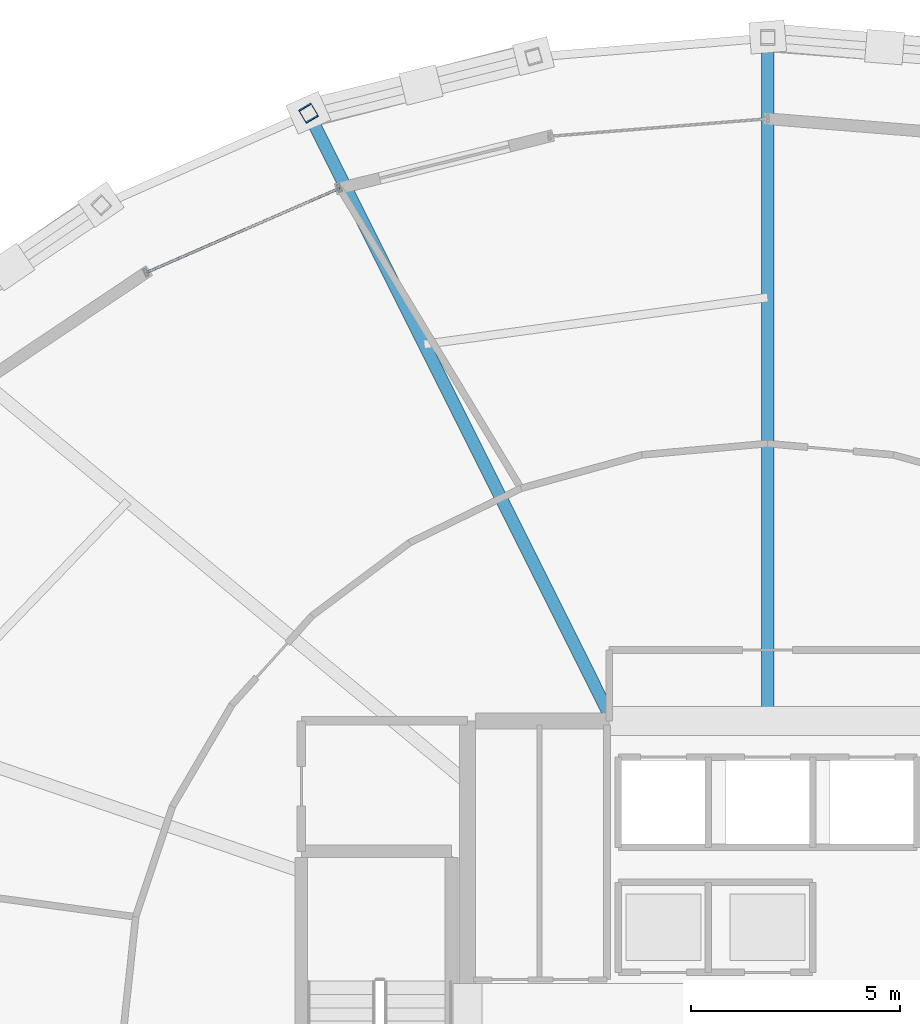
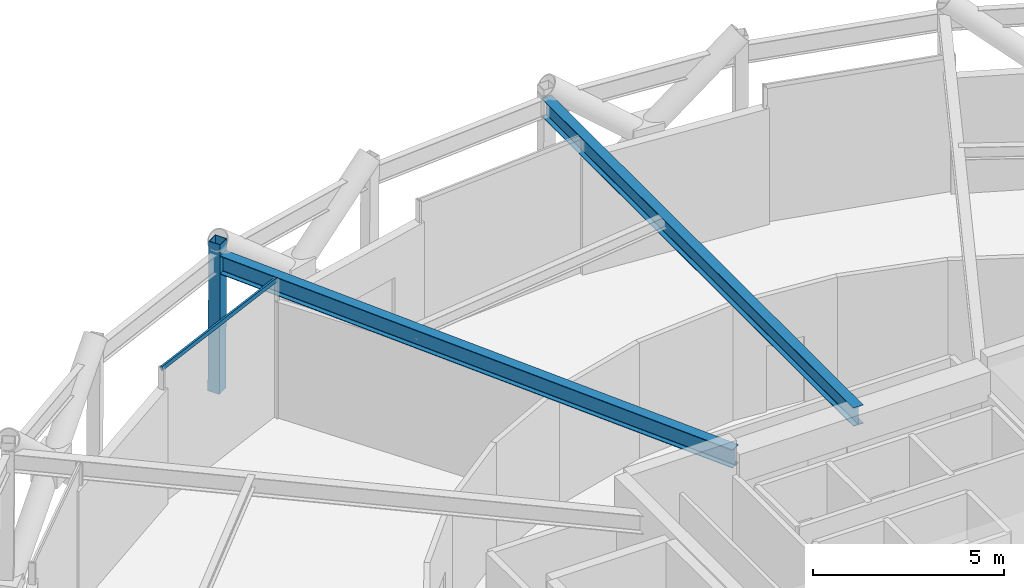
# One storey, part 24 of 39: 2 beams, 2 members, 1 element without a shape of its own.
"""IFC4 building model written with IfcOpenShell, lengths in metres."""

from ifc_helpers import new_model, si_unit, direction, frame, origin, origin_2d, place, context, subcontext, project, spatial, hollow_rectangle, i_section, extrude, material, layer, layer_set, material_profile, profile_set, type_object, element, aggregate, save


model = new_model("IFC4")

# Units and contexts
model_context = context("Model", 3, precision=1e-05, world=origin(), true_north=direction((0.0, 1.0)))
body_context = subcontext(model_context, "Body", "Model", "MODEL_VIEW")
ifc_project = project(units=[si_unit("LENGTHUNIT", "METRE"), si_unit("AREAUNIT", "SQUARE_METRE"), si_unit("VOLUMEUNIT", "CUBIC_METRE"), si_unit("PLANEANGLEUNIT", "RADIAN"), si_unit("MASSUNIT", "GRAM", prefix="KILO")], contexts=[model_context])

# Site, building, storey
site_placement = place(None, origin())
site = spatial("IfcSite", under=ifc_project, at=site_placement, CompositionType="ELEMENT")
building_placement = place(site_placement, origin())
building = spatial("IfcBuilding", under=site, at=building_placement, Name="Veldorina Hangang Commons", CompositionType="ELEMENT")
storey_placement = place(building_placement, frame((0.0, 0.0, 106.0)))
storey = spatial("IfcBuildingStorey", under=building, at=storey_placement, Name="L27", CompositionType="ELEMENT", Elevation=106.0)

# Beams
ifc_material_1 = material(Name="Steel SM460-TMC", Category="steel")
ifc_material_profile_1 = material_profile(ifc_material_1, i_section(OverallWidth=0.300048828125, OverallDepth=0.587890625, WebThickness=0.011962890625, FlangeThickness=0.02001953125, FilletRadius=0.01806640625, at=origin_2d()), Name="H-588x300x12x20")
ifc_profile_set_1 = profile_set([ifc_material_profile_1], Name="Steel SM460-TMC")
beam_type = type_object("IfcBeamType", Name="BM-FG588", PredefinedType="BEAM", material=ifc_profile_set_1)
beam_1_placement = place(storey_placement, frame((32.0, 31.449951171875, 4.14599609375), z_axis=(0.0, 1.0, 0.0), x_axis=(-1.0, 0.0, 0.0)))
element("IfcBeam", 1, at=beam_1_placement, inside=storey, type_object=beam_type, Name="L27 radial floor girder 05", PredefinedType="BEAM", context=body_context, shape_type="SweptSolid", body=[
    extrude(i_section(OverallWidth=0.300048828125, OverallDepth=0.587890625, WebThickness=0.011962890625, FlangeThickness=0.02001953125, FilletRadius=0.01806640625, at=origin_2d()), origin(), (0.0, 0.0, 1.0), 16.375244140625),
])
beam_2_placement = place(storey_placement, frame((28.276123046875, 31.449951171875, 4.14599609375), z_axis=(-0.447087617095, 0.894490169113, 0.0), x_axis=(-0.894490169113, -0.447087617095, 0.0)))
element("IfcBeam", 2, at=beam_2_placement, inside=storey, type_object=beam_type, Name="L27 radial floor girder 06", PredefinedType="BEAM", context=body_context, shape_type="SweptSolid", body=[
    extrude(i_section(OverallWidth=0.300048828125, OverallDepth=0.587890625, WebThickness=0.011962890625, FlangeThickness=0.02001953125, FilletRadius=0.01806640625, at=origin_2d()), origin(), (0.0, 0.0, 1.0), 16.279296875),
])

# Curtain wall, member
ifc_material_2 = material(Name="Glass Acoustic Laminated", Category="glass")
ifc_layer = layer(ifc_material_2, 0.179931640625)
ifc_layer_set = layer_set([ifc_layer], Name="Glass Acoustic Laminated")
curtain_wall_type = type_object("IfcCurtainWallType", Name="CW-SYS-SKY", PredefinedType="NOTDEFINED", material=ifc_layer_set)
curtain_wall_placement = place(storey_placement, origin())
curtain_wall = element("IfcCurtainWall", 3, at=curtain_wall_placement, inside=storey, type_object=curtain_wall_type, Name="L27 unitised curtain wall CW-L27-R6", PredefinedType="NOTDEFINED")
ifc_material_3 = material(Name="Aluminium Anodized AA6063-T6", Category="aluminium")
ifc_material_profile_2 = material_profile(ifc_material_3, hollow_rectangle(XDim=0.06005859375, YDim=0.139892578125, WallThickness=0.00341796875, at=origin_2d()), Name="ALU-RHS-140x60x3.5")
ifc_profile_set_2 = profile_set([ifc_material_profile_2], Name="Aluminium Anodized AA6063-T6")
member_type_1 = type_object("IfcMemberType", Name="CW-TRN-140", PredefinedType="USERDEFINED", material=ifc_profile_set_2)
member_1_placement = place(storey_placement, frame((21.7353515625, 44.221923828125, 4.360107421875), z_axis=(-0.916605296215, -0.399793360313, 0.0), x_axis=(0.399793360313, -0.916605296215, 0.0)))
member_1 = element("IfcMember", 4, at=member_1_placement, type_object=member_type_1, Name="CW-L27-R6 facet 1 transom 1", ObjectType="TRANSOM", PredefinedType="USERDEFINED", context=body_context, shape_type="SweptSolid", body=[
    extrude(hollow_rectangle(XDim=0.06005859375, YDim=0.139892578125, WallThickness=0.00341796875, at=origin_2d()), origin(), (0.0, 0.0, 1.0), 5.059326171875),
])
aggregate(curtain_wall, [member_1])

# Member
ifc_material_4 = material(Name="Steel SM355-TMC", Category="steel")
ifc_material_profile_3 = material_profile(ifc_material_4, hollow_rectangle(XDim=0.35009765625, YDim=0.35009765625, WallThickness=0.01611328125, at=origin_2d()), Name="SHS-350x350x16")
ifc_profile_set_3 = profile_set([ifc_material_profile_3], Name="Steel SM355-TMC")
member_type_2 = type_object("IfcMemberType", Name="STR-SHS350", PredefinedType="STRUT", material=ifc_profile_set_3)
member_2_placement = place(storey_placement, frame((20.9853515625, 46.03271484375, 0.0), z_axis=(0.00300081233, -0.005086122593, 0.999982563089), x_axis=(0.86126925759, 0.508148861978, 0.0)))
element("IfcMember", 5, at=member_2_placement, inside=storey, type_object=member_type_2, Name="L27 perimeter ring node post 10", PredefinedType="STRUT", context=body_context, shape_type="SweptSolid", body=[
    extrude(hollow_rectangle(XDim=0.35009765625, YDim=0.35009765625, WallThickness=0.01611328125, at=origin_2d()), origin(), (0.0, 0.0, 1.0), 4.800048828125),
])

save(model, "model.ifc")
